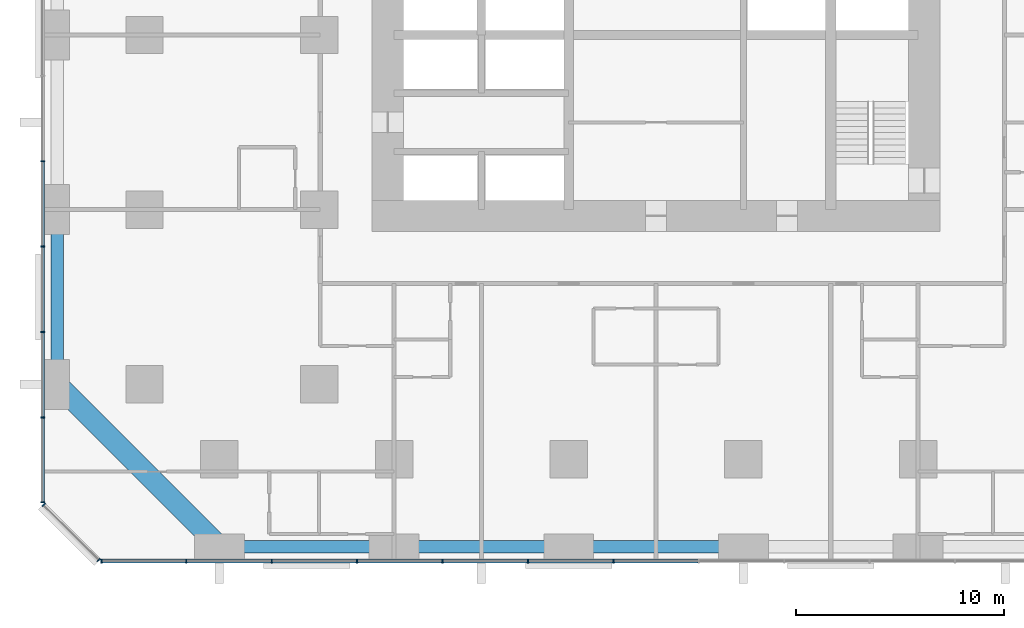
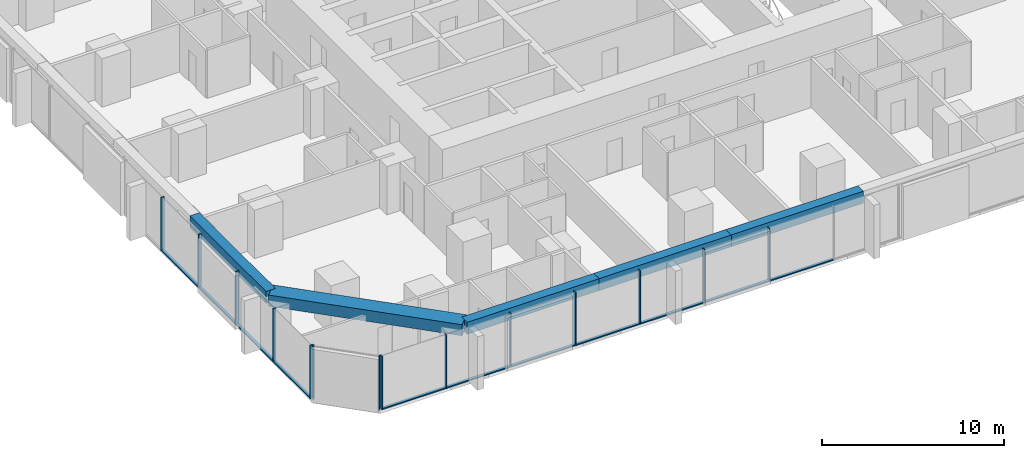
# One storey, part 2 of 17: 25 members, 5 beams, 3 elements without a shape of their own.
"""IFC4 building model written with IfcOpenShell, lengths in metres."""

import ifcopenshell
import ifcopenshell.guid

model = None  # the IFC model being written
_history = None  # IfcOwnerHistory: only IFC2X3 demands one
_inside = {}  # id of a spatial element -> (the spatial element, [elements in it])
_under = {}  # id of a project, library or spatial element -> (it, [spatial elements below it])
_declared = {}  # id of a project -> (the project, [libraries it declares])
_typed = {}  # id of a type object -> (the type object, [elements of that type])
_made_of = {}  # id of a material, layer set ... -> (it, [elements and type objects made of it])


def new_model(schema):
    """Start an empty IFC model of exactly this schema.

    Asked for "IFC4X3", IfcOpenShell would pick the latest addendum, in which some entities
    have other attributes; the version numbers below select the first issue.
    IFC2X3 requires an IfcOwnerHistory on every rooted entity: one is made here for all.
    """
    global model, _history
    if schema == "IFC4X3":
        model = ifcopenshell.file(schema_version=(4, 3, 0, 0))
    else:
        model = ifcopenshell.file(schema=schema)
    _inside.clear()
    _under.clear()
    _declared.clear()
    _typed.clear()
    _made_of.clear()
    _history = None
    if model.schema == "IFC2X3":
        org = make("IfcOrganization", Name="unknown")
        user = make(
            "IfcPersonAndOrganization",
            ThePerson=make("IfcPerson", FamilyName="unknown"),
            TheOrganization=org,
        )
        app = make(
            "IfcApplication",
            ApplicationDeveloper=org,
            Version="unknown",
            ApplicationFullName="unknown",
            ApplicationIdentifier="unknown",
        )
        _history = make(
            "IfcOwnerHistory",
            OwningUser=user,
            OwningApplication=app,
            ChangeAction="ADDED",
            CreationDate=0,
        )
    return model


def make(cls, **values):
    """One entity of the class cls with the attributes given. An attribute that is None is left unset."""
    return model.create_entity(
        cls, **{name: value for name, value in values.items() if value is not None}
    )


def rooted(cls, **values):
    """An entity with a GlobalId (a new one), such as an element, a storey or a relation."""
    return make(cls, GlobalId=ifcopenshell.guid.new(), OwnerHistory=_history, **values)


def si_unit(unit_type, name, prefix=None):
    """IfcSIUnit, for example si_unit("LENGTHUNIT", "METRE", prefix="MILLI")."""
    return make("IfcSIUnit", UnitType=unit_type, Prefix=prefix, Name=name)


def assignment(units):
    """IfcUnitAssignment: the units of a project."""
    return None if units is None else make("IfcUnitAssignment", Units=units)


def point(xyz):
    """IfcCartesianPoint."""
    return None if xyz is None else make("IfcCartesianPoint", Coordinates=xyz)


def direction(xyz):
    """IfcDirection."""
    return None if xyz is None else make("IfcDirection", DirectionRatios=xyz)


def frame(location, z_axis=None, x_axis=None):
    """IfcAxis2Placement3D, a coordinate frame: its origin and axes. An axis left out is left unset."""
    return make(
        "IfcAxis2Placement3D",
        Location=point(location),
        Axis=direction(z_axis),
        RefDirection=direction(x_axis),
    )


def frame_2d(location, x_axis=None):
    """IfcAxis2Placement2D, a coordinate frame in the plane: its origin and x axis."""
    return make(
        "IfcAxis2Placement2D", Location=point(location), RefDirection=direction(x_axis)
    )


def origin():
    """The frame at (0, 0, 0) with its axes left unset."""
    return frame((0.0, 0.0, 0.0))


def origin_2d():
    """The frame at (0, 0) in the plane with its x axis left unset."""
    return frame_2d((0.0, 0.0))


def place(relative_to, where):
    """IfcLocalPlacement: puts the frame where relative to a parent placement (None: the world)."""
    return make(
        "IfcLocalPlacement", PlacementRelTo=relative_to, RelativePlacement=where
    )


def context(
    kind, dimensions, precision=None, world=None, true_north=None, identifier=None
):
    """IfcGeometricRepresentationContext, for example the 3D "Model" context."""
    return make(
        "IfcGeometricRepresentationContext",
        ContextIdentifier=identifier,
        ContextType=kind,
        CoordinateSpaceDimension=dimensions,
        Precision=precision,
        WorldCoordinateSystem=world,
        TrueNorth=true_north,
    )


def subcontext(parent, identifier, kind, view, scale=None):
    """IfcGeometricRepresentationSubContext, for example "Body" below "Model"."""
    return make(
        "IfcGeometricRepresentationSubContext",
        ContextIdentifier=identifier,
        ContextType=kind,
        ParentContext=parent,
        TargetScale=scale,
        TargetView=view,
    )


def project(units=None, contexts=None):
    """IfcProject with its units and contexts."""
    return rooted(
        "IfcProject",
        Name="project",
        RepresentationContexts=contexts,
        UnitsInContext=assignment(units),
    )


def spatial(cls, under=None, at=None, **own):
    """A site, building, storey or space (cls), placed at a placement, below another one or the project."""
    s = rooted(cls, ObjectPlacement=at, **own)
    if under is not None:
        _under.setdefault(under.id(), (under, []))[1].append(s)
    return s


def profile(cls, at=None, kind="AREA", **sizes):
    """A parametric profile (cls). Its sizes go by their IFC names, for example OverallWidth=200.0."""
    return make(cls, ProfileType=kind, Position=at, **sizes)


def rectangle(**sizes):
    """IfcRectangleProfileDef."""
    return profile("IfcRectangleProfileDef", **sizes)


def extrude(swept, where, along, depth):
    """IfcExtrudedAreaSolid: the profile swept, set in the frame where, extruded along a direction by depth."""
    return make(
        "IfcExtrudedAreaSolid",
        SweptArea=swept,
        Position=where,
        ExtrudedDirection=direction(along),
        Depth=depth,
    )


def shape(context_of_items, identifier, shape_type, items):
    """IfcShapeRepresentation: the items that make up one representation, for example the "Body"."""
    return make(
        "IfcShapeRepresentation",
        ContextOfItems=context_of_items,
        RepresentationIdentifier=identifier,
        RepresentationType=shape_type,
        Items=items,
    )


def material(Name=None, Category=None):
    """IfcMaterial."""
    return make("IfcMaterial", Name=Name, Category=Category)


def material_profile(
    of_material, cross_section, Name=None, Category=None, Priority=None
):
    """IfcMaterialProfile: a cross section and its material."""
    return make(
        "IfcMaterialProfile",
        Name=Name,
        Material=of_material,
        Profile=cross_section,
        Priority=Priority,
        Category=Category,
    )


def profile_set(profiles, Name=None, composite=None):
    """IfcMaterialProfileSet."""
    return make(
        "IfcMaterialProfileSet",
        Name=Name,
        MaterialProfiles=profiles,
        CompositeProfile=composite,
    )


def made_of(thing, what):
    """Note that an element or type object is made of a material, layer set ...; save() writes the relation."""
    if what is not None:
        _made_of.setdefault(what.id(), (what, []))[1].append(thing)
    return thing


def type_object(cls, material=None, **own):
    """A type object (cls), such as IfcWallType, which elements share."""
    return made_of(rooted(cls, **own), material)


def element(
    cls,
    number,
    at=None,
    inside=None,
    cuts=None,
    type_object=None,
    material=None,
    context=None,
    identifier="Body",
    shape_type=None,
    held_by="IfcProductDefinitionShape",
    body=None,
    shapes=None,
    **own,
):
    """One element of the class cls, such as IfcWall. Its Tag is "e" and its number.

    at: its placement. inside: the storey or other place that contains it. cuts: it is an
    opening in that element (IfcRelVoidsElement). A single representation is given by context,
    identifier, shape_type and body (its items); several are given by shapes. held_by: the class
    of the entity that holds the representations. save() writes the other relations.
    """
    e = rooted(cls, Tag="e%d" % number, ObjectPlacement=at, **own)
    if body is not None:
        shapes = [shape(context, identifier, shape_type, body)]
    if shapes is not None:
        e.Representation = make(held_by, Representations=shapes)
    if inside is not None:
        _inside.setdefault(inside.id(), (inside, []))[1].append(e)
    if cuts is not None:
        rooted(
            "IfcRelVoidsElement", RelatingBuildingElement=cuts, RelatedOpeningElement=e
        )
    if type_object is not None:
        _typed.setdefault(type_object.id(), (type_object, []))[1].append(e)
    return made_of(e, material)


def aggregate(whole, parts):
    """IfcRelAggregates: a whole, such as a stair, and the parts it consists of."""
    return rooted("IfcRelAggregates", RelatingObject=whole, RelatedObjects=parts)


def save(model, path):
    """Write the relations noted so far, then the file.

    IfcRelAggregates (storeys below a building ...), IfcRelContainedInSpatialStructure (elements
    in a storey), IfcRelDefinesByType, IfcRelAssociatesMaterial and IfcRelDeclares: one each for
    every whole, place, type object, material and project.
    """
    for whole, parts in _under.values():
        aggregate(whole, parts)
    for where, things in _inside.values():
        rooted(
            "IfcRelContainedInSpatialStructure",
            RelatedElements=things,
            RelatingStructure=where,
        )
    for kind, things in _typed.values():
        rooted("IfcRelDefinesByType", RelatedObjects=things, RelatingType=kind)
    for what, things in _made_of.values():
        rooted("IfcRelAssociatesMaterial", RelatedObjects=things, RelatingMaterial=what)
    for by, libraries in _declared.values():
        rooted("IfcRelDeclares", RelatingContext=by, RelatedDefinitions=libraries)
    model.write(path)


model = new_model("IFC4")

# Units and contexts
model_context = context("Model", 3, precision=1e-05, world=origin(), true_north=direction((0.0, 1.0)))
body_context = subcontext(model_context, "Body", "Model", "MODEL_VIEW")
ifc_project = project(units=[si_unit("LENGTHUNIT", "METRE"), si_unit("AREAUNIT", "SQUARE_METRE"), si_unit("VOLUMEUNIT", "CUBIC_METRE"), si_unit("PLANEANGLEUNIT", "RADIAN"), si_unit("MASSUNIT", "GRAM", prefix="KILO")], contexts=[model_context])

# Site, building, storey
site_placement = place(None, origin())
site = spatial("IfcSite", under=ifc_project, at=site_placement, CompositionType="ELEMENT")
building_placement = place(site_placement, origin())
building = spatial("IfcBuilding", under=site, at=building_placement, Name="Dunama Terrace Hotel", CompositionType="ELEMENT")
storey_placement = place(building_placement, frame((0.0, 0.0, 66.60009765625)))
storey = spatial("IfcBuildingStorey", under=building, at=storey_placement, Name="L16", CompositionType="ELEMENT", Elevation=66.60009765625)

# Curtain wall, members
ifc_material_1 = material(Name="Aluminium curtain wall system", Category="aluminium")
curtain_wall_type = type_object("IfcCurtainWallType", Name="Unitised fritted glass wall CW-A", PredefinedType="NOTDEFINED", material=ifc_material_1)
curtain_wall_1_placement = place(storey_placement, origin())
curtain_wall_1 = element("IfcCurtainWall", 1, at=curtain_wall_1_placement, inside=storey, type_object=curtain_wall_type, Name="Unitised fritted glass wall CW-A L16", PredefinedType="NOTDEFINED")
ifc_material_2 = material(Name="Aluminium mullion", Category="aluminium")
ifc_material_profile_1 = material_profile(ifc_material_2, rectangle(XDim=0.06494140625, YDim=0.199951171875, at=origin_2d()), Name="CWA MULLION 65X200")
ifc_profile_set_1 = profile_set([ifc_material_profile_1], Name="Aluminium mullion")
member_type_1 = type_object("IfcMemberType", Name="CWA mullion 65x200", PredefinedType="MULLION", material=ifc_profile_set_1)
member_1_placement = place(storey_placement, frame((2.73291015625, -0.10009765625, 0.0), z_axis=(0.0, 0.0, 1.0), x_axis=(1.0, 0.0, 0.0)))
member_1 = element("IfcMember", 2, at=member_1_placement, type_object=member_type_1, Name="CWA mullion", PredefinedType="MULLION", context=body_context, shape_type="SweptSolid", body=[
    extrude(rectangle(XDim=0.06494140625, YDim=0.199951171875, at=origin_2d()), origin(), (0.0, 0.0, 1.0), 3.599853515625),
])
member_2_placement = place(storey_placement, frame((6.80810546875, -0.10009765625, 0.0), z_axis=(0.0, 0.0, 1.0), x_axis=(1.0, 0.0, 0.0)))
member_2 = element("IfcMember", 3, at=member_2_placement, type_object=member_type_1, Name="CWA mullion", PredefinedType="MULLION", context=body_context, shape_type="SweptSolid", body=[
    extrude(rectangle(XDim=0.06494140625, YDim=0.199951171875, at=origin_2d()), origin(), (0.0, 0.0, 1.0), 3.599853515625),
])
member_3_placement = place(storey_placement, frame((10.9150390625, -0.10009765625, 0.0), z_axis=(0.0, 0.0, 1.0), x_axis=(1.0, 0.0, 0.0)))
member_3 = element("IfcMember", 4, at=member_3_placement, type_object=member_type_1, Name="CWA mullion", PredefinedType="MULLION", context=body_context, shape_type="SweptSolid", body=[
    extrude(rectangle(XDim=0.06494140625, YDim=0.199951171875, at=origin_2d()), origin(), (0.0, 0.0, 1.0), 3.599853515625),
])
member_4_placement = place(storey_placement, frame((15.02294921875, -0.10009765625, 0.0), z_axis=(0.0, 0.0, 1.0), x_axis=(1.0, 0.0, 0.0)))
member_4 = element("IfcMember", 5, at=member_4_placement, type_object=member_type_1, Name="CWA mullion", PredefinedType="MULLION", context=body_context, shape_type="SweptSolid", body=[
    extrude(rectangle(XDim=0.06494140625, YDim=0.199951171875, at=origin_2d()), origin(), (0.0, 0.0, 1.0), 3.599853515625),
])
member_5_placement = place(storey_placement, frame((19.131103515625, -0.10009765625, 0.0), z_axis=(0.0, 0.0, 1.0), x_axis=(1.0, 0.0, 0.0)))
member_5 = element("IfcMember", 6, at=member_5_placement, type_object=member_type_1, Name="CWA mullion", PredefinedType="MULLION", context=body_context, shape_type="SweptSolid", body=[
    extrude(rectangle(XDim=0.06494140625, YDim=0.199951171875, at=origin_2d()), origin(), (0.0, 0.0, 1.0), 3.599853515625),
])
member_6_placement = place(storey_placement, frame((23.238037109375, -0.10009765625, 0.0), z_axis=(0.0, 0.0, 1.0), x_axis=(1.0, 0.0, 0.0)))
member_6 = element("IfcMember", 7, at=member_6_placement, type_object=member_type_1, Name="CWA mullion", PredefinedType="MULLION", context=body_context, shape_type="SweptSolid", body=[
    extrude(rectangle(XDim=0.06494140625, YDim=0.199951171875, at=origin_2d()), origin(), (0.0, 0.0, 1.0), 3.599853515625),
])
member_7_placement = place(storey_placement, frame((27.345947265625, -0.10009765625, 0.0), z_axis=(0.0, 0.0, 1.0), x_axis=(1.0, 0.0, 0.0)))
member_7 = element("IfcMember", 8, at=member_7_placement, type_object=member_type_1, Name="CWA mullion", PredefinedType="MULLION", context=body_context, shape_type="SweptSolid", body=[
    extrude(rectangle(XDim=0.06494140625, YDim=0.199951171875, at=origin_2d()), origin(), (0.0, 0.0, 1.0), 3.599853515625),
])

curtain_wall_2_placement = place(storey_placement, origin())
curtain_wall_2 = element("IfcCurtainWall", 9, at=curtain_wall_2_placement, inside=storey, type_object=curtain_wall_type, Name="Unitised fritted glass wall CW-A L16", PredefinedType="NOTDEFINED")
member_8_placement = place(storey_placement, frame((-0.10009765625, 19.131103515625, 0.0), z_axis=(0.0, 0.0, 1.0), x_axis=(0.0, -1.0, 0.0)))
member_8 = element("IfcMember", 10, at=member_8_placement, type_object=member_type_1, Name="CWA mullion", PredefinedType="MULLION", context=body_context, shape_type="SweptSolid", body=[
    extrude(rectangle(XDim=0.06494140625, YDim=0.199951171875, at=origin_2d()), origin(), (0.0, 0.0, 1.0), 3.599853515625),
])
member_9_placement = place(storey_placement, frame((-0.10009765625, 15.02294921875, 0.0), z_axis=(0.0, 0.0, 1.0), x_axis=(0.0, -1.0, 0.0)))
member_9 = element("IfcMember", 11, at=member_9_placement, type_object=member_type_1, Name="CWA mullion", PredefinedType="MULLION", context=body_context, shape_type="SweptSolid", body=[
    extrude(rectangle(XDim=0.06494140625, YDim=0.199951171875, at=origin_2d()), origin(), (0.0, 0.0, 1.0), 3.599853515625),
])
member_10_placement = place(storey_placement, frame((-0.10009765625, 10.9150390625, 0.0), z_axis=(0.0, 0.0, 1.0), x_axis=(0.0, -1.0, 0.0)))
member_10 = element("IfcMember", 12, at=member_10_placement, type_object=member_type_1, Name="CWA mullion", PredefinedType="MULLION", context=body_context, shape_type="SweptSolid", body=[
    extrude(rectangle(XDim=0.06494140625, YDim=0.199951171875, at=origin_2d()), origin(), (0.0, 0.0, 1.0), 3.599853515625),
])
member_11_placement = place(storey_placement, frame((-0.10009765625, 6.80810546875, 0.0), z_axis=(0.0, 0.0, 1.0), x_axis=(0.0, -1.0, 0.0)))
member_11 = element("IfcMember", 13, at=member_11_placement, type_object=member_type_1, Name="CWA mullion", PredefinedType="MULLION", context=body_context, shape_type="SweptSolid", body=[
    extrude(rectangle(XDim=0.06494140625, YDim=0.199951171875, at=origin_2d()), origin(), (0.0, 0.0, 1.0), 3.599853515625),
])
member_12_placement = place(storey_placement, frame((-0.10009765625, 2.73291015625, 0.0), z_axis=(0.0, 0.0, 1.0), x_axis=(0.0, -1.0, 0.0)))
member_12 = element("IfcMember", 14, at=member_12_placement, type_object=member_type_1, Name="CWA mullion", PredefinedType="MULLION", context=body_context, shape_type="SweptSolid", body=[
    extrude(rectangle(XDim=0.06494140625, YDim=0.199951171875, at=origin_2d()), origin(), (0.0, 0.0, 1.0), 3.599853515625),
])

curtain_wall_3_placement = place(storey_placement, origin())
curtain_wall_3 = element("IfcCurtainWall", 15, at=curtain_wall_3_placement, inside=storey, type_object=curtain_wall_type, Name="Unitised fritted glass wall CW-A L16", PredefinedType="NOTDEFINED")
member_13_placement = place(storey_placement, frame((-0.048095703125, 2.60595703125, 0.0), z_axis=(0.0, 0.0, 1.0), x_axis=(0.707106781187, -0.707106781187, 0.0)))
member_13 = element("IfcMember", 16, at=member_13_placement, type_object=member_type_1, Name="CWA mullion", PredefinedType="MULLION", context=body_context, shape_type="SweptSolid", body=[
    extrude(rectangle(XDim=0.06494140625, YDim=0.199951171875, at=origin_2d()), origin(), (0.0, 0.0, 1.0), 3.599853515625),
])
member_14_placement = place(storey_placement, frame((2.60595703125, -0.048095703125, 0.0), z_axis=(0.0, 0.0, 1.0), x_axis=(0.707106781187, -0.707106781187, 0.0)))
member_14 = element("IfcMember", 17, at=member_14_placement, type_object=member_type_1, Name="CWA mullion", PredefinedType="MULLION", context=body_context, shape_type="SweptSolid", body=[
    extrude(rectangle(XDim=0.06494140625, YDim=0.199951171875, at=origin_2d()), origin(), (0.0, 0.0, 1.0), 3.599853515625),
])
aggregate(curtain_wall_3, [member_13, member_14])

# Member
ifc_material_3 = material(Name="Aluminium transom", Category="aluminium")
ifc_material_profile_2 = material_profile(ifc_material_3, rectangle(XDim=0.179931640625, YDim=0.074951171875, at=origin_2d()), Name="CWA TRANSOM 180X75")
ifc_profile_set_2 = profile_set([ifc_material_profile_2], Name="Aluminium transom")
member_type_2 = type_object("IfcMemberType", Name="CWA transom 180x75", PredefinedType="USERDEFINED", material=ifc_profile_set_2)
member_15_placement = place(storey_placement, frame((2.764892578125, -0.10009765625, 0.037353515625), z_axis=(1.0, 0.0, 0.0), x_axis=(0.0, 1.0, 0.0)))
member_15 = element("IfcMember", 18, at=member_15_placement, type_object=member_type_2, Name="CWA transom", ObjectType="TRANSOM", PredefinedType="USERDEFINED", context=body_context, shape_type="SweptSolid", body=[
    extrude(rectangle(XDim=0.179931640625, YDim=0.074951171875, at=origin_2d()), origin(), (0.0, 0.0, 1.0), 4.010009765625),
])

member_16_placement = place(storey_placement, frame((6.840087890625, -0.10009765625, 0.037353515625), z_axis=(1.0, 0.0, 0.0), x_axis=(0.0, 1.0, 0.0)))
member_16 = element("IfcMember", 19, at=member_16_placement, type_object=member_type_2, Name="CWA transom", ObjectType="TRANSOM", PredefinedType="USERDEFINED", context=body_context, shape_type="SweptSolid", body=[
    extrude(rectangle(XDim=0.179931640625, YDim=0.074951171875, at=origin_2d()), origin(), (0.0, 0.0, 1.0), 4.04296875),
])

member_17_placement = place(storey_placement, frame((10.947998046875, -0.10009765625, 0.037353515625), z_axis=(1.0, 0.0, 0.0), x_axis=(0.0, 1.0, 0.0)))
member_17 = element("IfcMember", 20, at=member_17_placement, type_object=member_type_2, Name="CWA transom", ObjectType="TRANSOM", PredefinedType="USERDEFINED", context=body_context, shape_type="SweptSolid", body=[
    extrude(rectangle(XDim=0.179931640625, YDim=0.074951171875, at=origin_2d()), origin(), (0.0, 0.0, 1.0), 4.04296875),
])

member_18_placement = place(storey_placement, frame((15.055908203125, -0.10009765625, 0.037353515625), z_axis=(1.0, 0.0, 0.0), x_axis=(0.0, 1.0, 0.0)))
member_18 = element("IfcMember", 21, at=member_18_placement, type_object=member_type_2, Name="CWA transom", ObjectType="TRANSOM", PredefinedType="USERDEFINED", context=body_context, shape_type="SweptSolid", body=[
    extrude(rectangle(XDim=0.179931640625, YDim=0.074951171875, at=origin_2d()), origin(), (0.0, 0.0, 1.0), 4.0419921875),
])

member_19_placement = place(storey_placement, frame((19.1630859375, -0.10009765625, 0.037353515625), z_axis=(1.0, 0.0, 0.0), x_axis=(0.0, 1.0, 0.0)))
member_19 = element("IfcMember", 22, at=member_19_placement, type_object=member_type_2, Name="CWA transom", ObjectType="TRANSOM", PredefinedType="USERDEFINED", context=body_context, shape_type="SweptSolid", body=[
    extrude(rectangle(XDim=0.179931640625, YDim=0.074951171875, at=origin_2d()), origin(), (0.0, 0.0, 1.0), 4.04296875),
])

member_20_placement = place(storey_placement, frame((23.27099609375, -0.10009765625, 0.037353515625), z_axis=(1.0, 0.0, 0.0), x_axis=(0.0, 1.0, 0.0)))
member_20 = element("IfcMember", 23, at=member_20_placement, type_object=member_type_2, Name="CWA transom", ObjectType="TRANSOM", PredefinedType="USERDEFINED", context=body_context, shape_type="SweptSolid", body=[
    extrude(rectangle(XDim=0.179931640625, YDim=0.074951171875, at=origin_2d()), origin(), (0.0, 0.0, 1.0), 4.04296875),
])

member_21_placement = place(storey_placement, frame((27.37890625, -0.10009765625, 0.037353515625), z_axis=(1.0, 0.0, 0.0), x_axis=(0.0, 1.0, 0.0)))
member_21 = element("IfcMember", 24, at=member_21_placement, type_object=member_type_2, Name="CWA transom", ObjectType="TRANSOM", PredefinedType="USERDEFINED", context=body_context, shape_type="SweptSolid", body=[
    extrude(rectangle(XDim=0.179931640625, YDim=0.074951171875, at=origin_2d()), origin(), (0.0, 0.0, 1.0), 4.0419921875),
])

aggregate(curtain_wall_1, [member_1, member_2, member_3, member_4, member_5, member_6, member_7, member_15, member_16, member_17, member_18, member_19, member_20, member_21])

member_22_placement = place(storey_placement, frame((-0.10009765625, 19.097900390625, 0.037353515625), z_axis=(0.0, -1.0, 0.0), x_axis=(1.0, 0.0, 0.0)))
member_22 = element("IfcMember", 25, at=member_22_placement, type_object=member_type_2, Name="CWA transom", ObjectType="TRANSOM", PredefinedType="USERDEFINED", context=body_context, shape_type="SweptSolid", body=[
    extrude(rectangle(XDim=0.179931640625, YDim=0.074951171875, at=origin_2d()), origin(), (0.0, 0.0, 1.0), 4.0419921875),
])

member_23_placement = place(storey_placement, frame((-0.10009765625, 14.990966796875, 0.037353515625), z_axis=(0.0, -1.0, 0.0), x_axis=(1.0, 0.0, 0.0)))
member_23 = element("IfcMember", 26, at=member_23_placement, type_object=member_type_2, Name="CWA transom", ObjectType="TRANSOM", PredefinedType="USERDEFINED", context=body_context, shape_type="SweptSolid", body=[
    extrude(rectangle(XDim=0.179931640625, YDim=0.074951171875, at=origin_2d()), origin(), (0.0, 0.0, 1.0), 4.04296875),
])

member_24_placement = place(storey_placement, frame((-0.10009765625, 10.883056640625, 0.037353515625), z_axis=(0.0, -1.0, 0.0), x_axis=(1.0, 0.0, 0.0)))
member_24 = element("IfcMember", 27, at=member_24_placement, type_object=member_type_2, Name="CWA transom", ObjectType="TRANSOM", PredefinedType="USERDEFINED", context=body_context, shape_type="SweptSolid", body=[
    extrude(rectangle(XDim=0.179931640625, YDim=0.074951171875, at=origin_2d()), origin(), (0.0, 0.0, 1.0), 4.04296875),
])

member_25_placement = place(storey_placement, frame((-0.10009765625, 6.77490234375, 0.037353515625), z_axis=(0.0, -1.0, 0.0), x_axis=(1.0, 0.0, 0.0)))
member_25 = element("IfcMember", 28, at=member_25_placement, type_object=member_type_2, Name="CWA transom", ObjectType="TRANSOM", PredefinedType="USERDEFINED", context=body_context, shape_type="SweptSolid", body=[
    extrude(rectangle(XDim=0.179931640625, YDim=0.074951171875, at=origin_2d()), origin(), (0.0, 0.0, 1.0), 4.010009765625),
])

aggregate(curtain_wall_2, [member_8, member_9, member_10, member_11, member_12, member_22, member_23, member_24, member_25])

# Beams
ifc_material_4 = material(Name="Concrete C50/60", Category="concrete")
ifc_material_profile_3 = material_profile(ifc_material_4, rectangle(XDim=1.0, YDim=0.75, at=origin_2d()), Name="RC 1000x750")
ifc_profile_set_3 = profile_set([ifc_material_profile_3], Name="Concrete C50/60")
beam_type_1 = type_object("IfcBeamType", Name="Edge beam RC 1000x750", PredefinedType="SPANDREL", material=ifc_profile_set_3)
beam_1_placement = place(storey_placement, frame((8.39990234375, 0.60009765625, 3.224853515625), z_axis=(-0.707106781187, 0.707106781187, 0.0), x_axis=(-0.707106781187, -0.707106781187, 0.0)))
element("IfcBeam", 29, at=beam_1_placement, inside=storey, type_object=beam_type_1, Name="Corner edge beam under L17", PredefinedType="SPANDREL", context=body_context, shape_type="SweptSolid", body=[
    extrude(rectangle(XDim=1.0, YDim=0.75, at=origin_2d()), origin(), (0.0, 0.0, 1.0), 11.030517578125),
])
ifc_material_5 = material(Name="Concrete C40/50", Category="concrete")
ifc_material_profile_4 = material_profile(ifc_material_5, rectangle(XDim=0.60009765625, YDim=0.800048828125, at=origin_2d()), Name="RC 600x800")
ifc_profile_set_4 = profile_set([ifc_material_profile_4], Name="Concrete C40/50")
beam_type_2 = type_object("IfcBeamType", Name="Edge beam RC 600x800", PredefinedType="SPANDREL", material=ifc_profile_set_4)
for number, where, z_axis, x_axis, name in (
    (30, (0.60009765625, 8.39990234375, 3.199951171875), (0.0, 1.0, 0.0), (-1.0, 0.0, 0.0), "Edge beam under L17"),
    (31, (8.39990234375, 0.60009765625, 3.199951171875), (1.0, 0.0, 0.0), (0.0, 1.0, 0.0), "Edge beam under L17"),
):
    element("IfcBeam", number, at=place(storey_placement, frame(where, z_axis=z_axis, x_axis=x_axis)), inside=storey, type_object=beam_type_2, Name=name, PredefinedType="SPANDREL", context=body_context, shape_type="SweptSolid", body=[
        extrude(rectangle(XDim=0.60009765625, YDim=0.800048828125, at=origin_2d()), origin(), (0.0, 0.0, 1.0), 8.400146484375),
    ])
beam_2_placement = place(storey_placement, frame((16.800048828125, 0.60009765625, 3.199951171875), z_axis=(1.0, 0.0, 0.0), x_axis=(0.0, 1.0, 0.0)))
element("IfcBeam", 32, at=beam_2_placement, inside=storey, type_object=beam_type_2, Name="Edge beam under L17", PredefinedType="SPANDREL", context=body_context, shape_type="SweptSolid", body=[
    extrude(rectangle(XDim=0.60009765625, YDim=0.800048828125, at=origin_2d()), origin(), (0.0, 0.0, 1.0), 8.39990234375),
])
beam_3_placement = place(storey_placement, frame((25.199951171875, 0.60009765625, 3.199951171875), z_axis=(1.0, 0.0, 0.0), x_axis=(0.0, 1.0, 0.0)))
element("IfcBeam", 33, at=beam_3_placement, inside=storey, type_object=beam_type_2, Name="Edge beam under L17", PredefinedType="SPANDREL", context=body_context, shape_type="SweptSolid", body=[
    extrude(rectangle(XDim=0.60009765625, YDim=0.800048828125, at=origin_2d()), origin(), (0.0, 0.0, 1.0), 8.400146484375),
])

save(model, "model.ifc")
